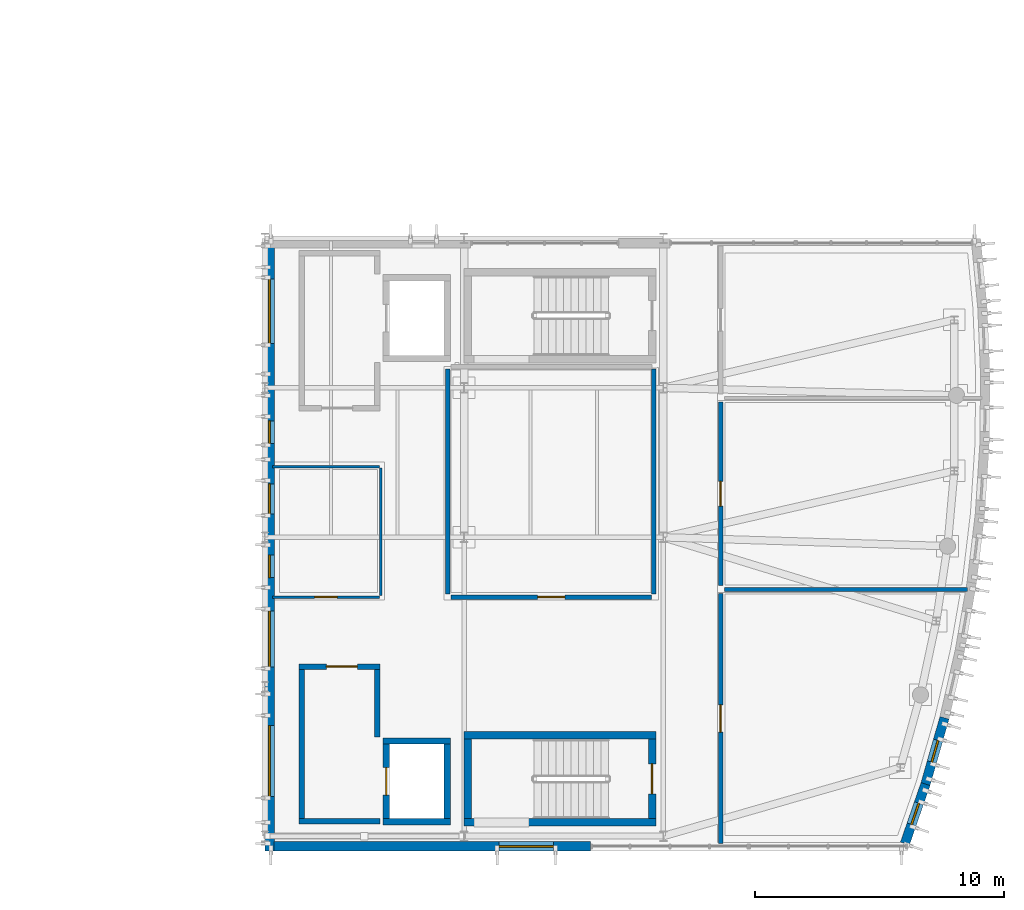
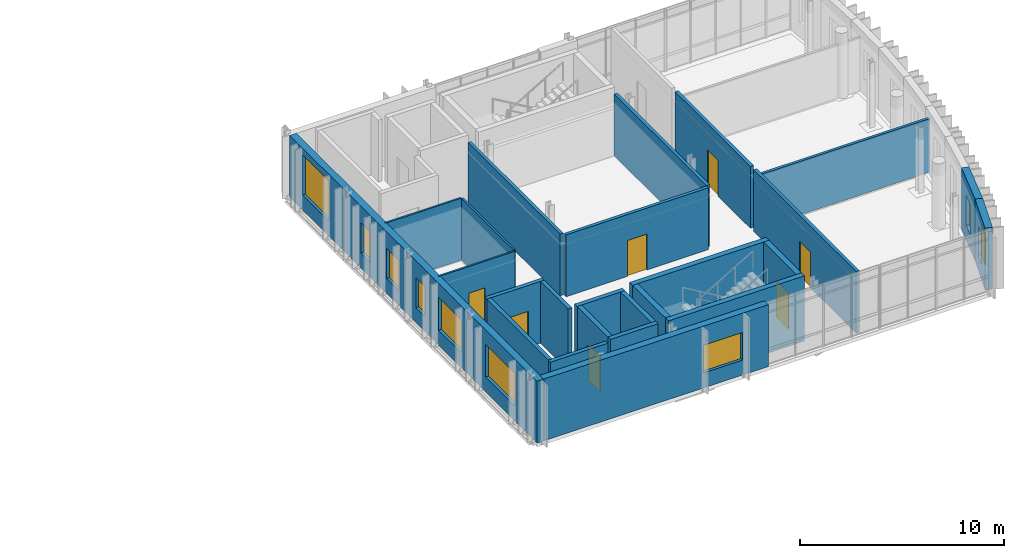
# One storey, part 20 of 28: 25 walls, 9 windows, 7 doors, 16 openings.
"""IFC4 building model written with IfcOpenShell, lengths in metres."""

from ifc_helpers import new_model, si_unit, direction, frame, frame_2d, origin, place, context, subcontext, project, spatial, rectangle, extrude, material, layer, layer_set, type_object, element, fill, save


model = new_model("IFC4")

# Units and contexts
model_context = context("Model", 3, precision=1e-05, world=origin(), true_north=direction((0.0, 1.0)))
body_context = subcontext(model_context, "Body", "Model", "MODEL_VIEW")
ifc_project = project(units=[si_unit("LENGTHUNIT", "METRE"), si_unit("AREAUNIT", "SQUARE_METRE"), si_unit("VOLUMEUNIT", "CUBIC_METRE"), si_unit("PLANEANGLEUNIT", "RADIAN"), si_unit("MASSUNIT", "GRAM", prefix="KILO")], contexts=[model_context])

# Site, building, storey
site_placement = place(None, origin())
site = spatial("IfcSite", under=ifc_project, at=site_placement, CompositionType="ELEMENT")
building_placement = place(site_placement, origin())
building = spatial("IfcBuilding", under=site, at=building_placement, Name="Cymarion Research Institute", CompositionType="ELEMENT")
storey_placement = place(building_placement, frame((0.0, 0.0, 30.60009765625)))
storey = spatial("IfcBuildingStorey", under=building, at=storey_placement, Name="L07", CompositionType="ELEMENT", Elevation=30.60009765625)

# Wall, opening, window
ifc_material_1 = material(Name="Precast concrete C40/50", Category="concrete")
ifc_layer_1 = layer(ifc_material_1, 0.3798828125)
ifc_layer_set_1 = layer_set([ifc_layer_1], Name="Precast concrete C40/50")
wall_type_1 = type_object("IfcWallType", Name="EXTERIOR WALL EW-PC380 380MM", PredefinedType="SOLIDWALL", material=ifc_layer_set_1)
wall_1_placement = place(storey_placement, frame((138.9619140625, 5.090087890625, 0.0), z_axis=(0.0, 0.0, 1.0), x_axis=(1.0, 0.0, 0.0)))
wall_1 = element("IfcWall", 1, at=wall_1_placement, inside=storey, type_object=wall_type_1, Name="L07 V1 facade pier wall EW-PC380 #274", PredefinedType="SOLIDWALL", context=body_context, shape_type="SweptSolid", body=[
    extrude(rectangle(XDim=12.718994140625, YDim=0.3798828125, at=frame_2d((6.359375, 0.0))), origin(), (0.0, 0.0, 1.0), 3.699951171875),
])
opening_1_placement = place(wall_1_placement, frame((9.0390625, 0.0, 0.89990234375)))
opening_1 = element("IfcOpeningElement", 2, at=opening_1_placement, cuts=wall_1, Name="Opening W34", PredefinedType="OPENING", context=body_context, shape_type="SweptSolid", body=[
    extrude(rectangle(XDim=2.199951171875, YDim=1.64990234375, at=frame_2d((1.10009765625, 0.824951171875))), frame((0.0, 0.199951171875, 0.0), z_axis=(0.0, -1.0, 0.0), x_axis=(1.0, 0.0, 0.0)), (0.0, 0.0, 1.0), 0.39990234375),
])
ifc_material_2 = material(Name="Thermally broken aluminium window with Low-E glazing", Category="aluminium")
window_type_1 = type_object("IfcWindowType", Name="THERMALLY BROKEN ALUMINIUM WINDOW W34 2200X1650", PartitioningType="DOUBLE_PANEL_VERTICAL", PredefinedType="WINDOW", material=ifc_material_2)
window_1_placement = place(opening_1_placement, origin())
window_1 = element("IfcWindow", 3, at=window_1_placement, inside=storey, type_object=window_type_1, Name="L07 V1 facade window W34 #502", OverallHeight=1.64990234375, OverallWidth=2.199951171875, PartitioningType="SINGLE_PANEL", PredefinedType="WINDOW", context=body_context, shape_type="SweptSolid", body=[
    extrude(rectangle(XDim=2.199951171875, YDim=1.64990234375, at=frame_2d((1.10009765625, 0.824951171875))), frame((0.0, 0.030029296875, 0.0), z_axis=(0.0, -1.0, 0.0), x_axis=(1.0, 0.0, 0.0)), (0.0, 0.0, 1.0), 0.06005859375),
])
fill(opening_1, window_1)

wall_2_placement = place(storey_placement, frame((164.302978515625, 5.200927734375, 0.0), z_axis=(0.0, 0.0, 1.0), x_axis=(0.3268184741, 0.945087130897, 0.0)))
wall_2 = element("IfcWall", 4, at=wall_2_placement, inside=storey, type_object=wall_type_1, Name="L07 V1 exterior wall EW-PC380 #275", PredefinedType="SOLIDWALL", context=body_context, shape_type="SweptSolid", body=[
    extrude(rectangle(XDim=2.5263671875, YDim=0.3798828125, at=frame_2d((1.26318359375, 0.0))), origin(), (0.0, 0.0, 1.0), 3.699951171875),
])
opening_2_placement = place(wall_2_placement, frame((0.81298828125, 0.0, 0.89990234375)))
opening_2 = element("IfcOpeningElement", 5, at=opening_2_placement, cuts=wall_2, Name="Opening W24", PredefinedType="OPENING", context=body_context, shape_type="SweptSolid", body=[
    extrude(rectangle(XDim=0.89990234375, YDim=1.800048828125, at=frame_2d((0.449951171875, 0.89990234375))), frame((0.0, 0.199951171875, 0.0), z_axis=(0.0, -1.0, 0.0), x_axis=(1.0, 0.0, 0.0)), (0.0, 0.0, 1.0), 0.39990234375),
])
window_type_2 = type_object("IfcWindowType", Name="THERMALLY BROKEN ALUMINIUM WINDOW W24 900X1800", PartitioningType="SINGLE_PANEL", PredefinedType="WINDOW", material=ifc_material_2)
window_2_placement = place(opening_2_placement, origin())
window_2 = element("IfcWindow", 6, at=window_2_placement, inside=storey, type_object=window_type_2, Name="L07 V1 facade window W24 #503", OverallHeight=1.800048828125, OverallWidth=0.89990234375, PartitioningType="SINGLE_PANEL", PredefinedType="WINDOW", context=body_context, shape_type="SweptSolid", body=[
    extrude(rectangle(XDim=0.89990234375, YDim=1.800048828125, at=frame_2d((0.449951171875, 0.89990234375))), frame((0.0, 0.030029296875, 0.0), z_axis=(0.0, -1.0, 0.0), x_axis=(1.0, 0.0, 0.0)), (0.0, 0.0, 1.0), 0.06005859375),
])
fill(opening_2, window_2)

wall_3_placement = place(storey_placement, frame((165.122314453125, 7.5673828125, 0.0), z_axis=(0.0, 0.0, 1.0), x_axis=(0.275772175055, 0.961223026912, 0.0)))
wall_3 = element("IfcWall", 7, at=wall_3_placement, inside=storey, type_object=wall_type_1, Name="L07 V1 exterior wall EW-PC380 #276", PredefinedType="SOLIDWALL", context=body_context, shape_type="SweptSolid", body=[
    extrude(rectangle(XDim=2.791259765625, YDim=0.3798828125, at=frame_2d((1.3955078125, 0.0))), origin(), (0.0, 0.0, 1.0), 3.699951171875),
])
opening_3_placement = place(wall_3_placement, frame((0.946044921875, 0.0, 0.89990234375)))
opening_3 = element("IfcOpeningElement", 8, at=opening_3_placement, cuts=wall_3, Name="Opening W24", PredefinedType="OPENING", context=body_context, shape_type="SweptSolid", body=[
    extrude(rectangle(XDim=0.89990234375, YDim=1.800048828125, at=frame_2d((0.449951171875, 0.89990234375))), frame((0.0, 0.199951171875, 0.0), z_axis=(0.0, -1.0, 0.0), x_axis=(1.0, 0.0, 0.0)), (0.0, 0.0, 1.0), 0.39990234375),
])
window_3_placement = place(opening_3_placement, origin())
window_3 = element("IfcWindow", 9, at=window_3_placement, inside=storey, type_object=window_type_2, Name="L07 V1 facade window W24 #504", OverallHeight=1.800048828125, OverallWidth=0.89990234375, PartitioningType="SINGLE_PANEL", PredefinedType="WINDOW", context=body_context, shape_type="SweptSolid", body=[
    extrude(rectangle(XDim=0.89990234375, YDim=1.800048828125, at=frame_2d((0.449951171875, 0.89990234375))), frame((0.0, 0.030029296875, 0.0), z_axis=(0.0, -1.0, 0.0), x_axis=(1.0, 0.0, 0.0)), (0.0, 0.0, 1.0), 0.06005859375),
])
fill(opening_3, window_3)

# Wall, openings, windows
wall_4_placement = place(storey_placement, frame((138.7900390625, 29.137939453125, 0.0), z_axis=(0.0, 0.0, 1.0), x_axis=(0.0, -1.0, 0.0)))
wall_4 = element("IfcWall", 10, at=wall_4_placement, inside=storey, type_object=wall_type_1, Name="L07 V1 exterior wall EW-PC380 #286", PredefinedType="SOLIDWALL", context=body_context, shape_type="SweptSolid", body=[
    extrude(rectangle(XDim=24.238037109375, YDim=0.3798828125, at=frame_2d((12.119140625, 0.0))), origin(), (0.0, 0.0, 1.0), 3.699951171875),
])
opening_4_placement = place(wall_4_placement, frame((1.263916015625, 0.0, 0.89990234375)))
opening_4 = element("IfcOpeningElement", 11, at=opening_4_placement, cuts=wall_4, Name="Opening W22", PredefinedType="OPENING", context=body_context, shape_type="SweptSolid", body=[
    extrude(rectangle(XDim=2.60009765625, YDim=2.39990234375, at=frame_2d((1.300048828125, 1.199951171875))), frame((0.0, 0.199951171875, 0.0), z_axis=(0.0, -1.0, 0.0), x_axis=(1.0, 0.0, 0.0)), (0.0, 0.0, 1.0), 0.39990234375),
])
opening_5_placement = place(wall_4_placement, frame((6.968017578125, 0.0, 0.89990234375)))
opening_5 = element("IfcOpeningElement", 12, at=opening_5_placement, cuts=wall_4, Name="Opening W24", PredefinedType="OPENING", context=body_context, shape_type="SweptSolid", body=[
    extrude(rectangle(XDim=0.89990234375, YDim=1.800048828125, at=frame_2d((0.449951171875, 0.89990234375))), frame((0.0, 0.199951171875, 0.0), z_axis=(0.0, -1.0, 0.0), x_axis=(1.0, 0.0, 0.0)), (0.0, 0.0, 1.0), 0.39990234375),
])
opening_6_placement = place(wall_4_placement, frame((9.498046875, 0.0, 0.89990234375)))
opening_6 = element("IfcOpeningElement", 13, at=opening_6_placement, cuts=wall_4, Name="Opening W01", PredefinedType="OPENING", context=body_context, shape_type="SweptSolid", body=[
    extrude(rectangle(XDim=1.199951171875, YDim=1.800048828125, at=frame_2d((0.60009765625, 0.89990234375))), frame((0.0, 0.199951171875, 0.0), z_axis=(0.0, -1.0, 0.0), x_axis=(1.0, 0.0, 0.0)), (0.0, 0.0, 1.0), 0.39990234375),
])
opening_7_placement = place(wall_4_placement, frame((12.35791015625, 0.0, 0.89990234375)))
opening_7 = element("IfcOpeningElement", 14, at=opening_7_placement, cuts=wall_4, Name="Opening W24", PredefinedType="OPENING", context=body_context, shape_type="SweptSolid", body=[
    extrude(rectangle(XDim=0.89990234375, YDim=1.800048828125, at=frame_2d((0.449951171875, 0.89990234375))), frame((0.0, 0.199951171875, 0.0), z_axis=(0.0, -1.0, 0.0), x_axis=(1.0, 0.0, 0.0)), (0.0, 0.0, 1.0), 0.39990234375),
])
opening_8_placement = place(wall_4_placement, frame((14.593017578125, 0.0, 0.89990234375)))
opening_8 = element("IfcOpeningElement", 15, at=opening_8_placement, cuts=wall_4, Name="Opening W30", PredefinedType="OPENING", context=body_context, shape_type="SweptSolid", body=[
    extrude(rectangle(XDim=2.25, YDim=1.949951171875, at=frame_2d((1.125, 0.97509765625))), frame((0.0, 0.199951171875, 0.0), z_axis=(0.0, -1.0, 0.0), x_axis=(1.0, 0.0, 0.0)), (0.0, 0.0, 1.0), 0.39990234375),
])
opening_9_placement = place(wall_4_placement, frame((19.202880859375, 0.0, 0.89990234375)))
opening_9 = element("IfcOpeningElement", 16, at=opening_9_placement, cuts=wall_4, Name="Opening W32", PredefinedType="OPENING", context=body_context, shape_type="SweptSolid", body=[
    extrude(rectangle(XDim=2.85009765625, YDim=1.949951171875, at=frame_2d((1.425048828125, 0.97509765625))), frame((0.0, 0.199951171875, 0.0), z_axis=(0.0, -1.0, 0.0), x_axis=(1.0, 0.0, 0.0)), (0.0, 0.0, 1.0), 0.39990234375),
])
window_type_3 = type_object("IfcWindowType", Name="THERMALLY BROKEN ALUMINIUM WINDOW W01 1200X1800", PartitioningType="SINGLE_PANEL", PredefinedType="WINDOW", material=ifc_material_2)
window_4_placement = place(opening_6_placement, origin())
window_4 = element("IfcWindow", 17, at=window_4_placement, inside=storey, type_object=window_type_3, Name="L07 V1 facade window W01 #515", OverallHeight=1.800048828125, OverallWidth=1.199951171875, PartitioningType="SINGLE_PANEL", PredefinedType="WINDOW", context=body_context, shape_type="SweptSolid", body=[
    extrude(rectangle(XDim=1.199951171875, YDim=1.800048828125, at=frame_2d((0.60009765625, 0.89990234375))), frame((0.0, 0.030029296875, 0.0), z_axis=(0.0, -1.0, 0.0), x_axis=(1.0, 0.0, 0.0)), (0.0, 0.0, 1.0), 0.06005859375),
])
fill(opening_6, window_4)
window_type_4 = type_object("IfcWindowType", Name="THERMALLY BROKEN ALUMINIUM WINDOW W22 2600X2400", PartitioningType="TRIPLE_PANEL_VERTICAL", PredefinedType="WINDOW", material=ifc_material_2)
window_5_placement = place(opening_4_placement, origin())
window_5 = element("IfcWindow", 18, at=window_5_placement, inside=storey, type_object=window_type_4, Name="L07 V1 facade window W22 #513", OverallHeight=2.39990234375, OverallWidth=2.60009765625, PartitioningType="SINGLE_PANEL", PredefinedType="WINDOW", context=body_context, shape_type="SweptSolid", body=[
    extrude(rectangle(XDim=2.60009765625, YDim=2.39990234375, at=frame_2d((1.300048828125, 1.199951171875))), frame((0.0, 0.030029296875, 0.0), z_axis=(0.0, -1.0, 0.0), x_axis=(1.0, 0.0, 0.0)), (0.0, 0.0, 1.0), 0.06005859375),
])
fill(opening_4, window_5)
window_6_placement = place(opening_5_placement, origin())
window_6 = element("IfcWindow", 19, at=window_6_placement, inside=storey, type_object=window_type_2, Name="L07 V1 facade window W24 #514", OverallHeight=1.800048828125, OverallWidth=0.89990234375, PartitioningType="SINGLE_PANEL", PredefinedType="WINDOW", context=body_context, shape_type="SweptSolid", body=[
    extrude(rectangle(XDim=0.89990234375, YDim=1.800048828125, at=frame_2d((0.449951171875, 0.89990234375))), frame((0.0, 0.030029296875, 0.0), z_axis=(0.0, -1.0, 0.0), x_axis=(1.0, 0.0, 0.0)), (0.0, 0.0, 1.0), 0.06005859375),
])
fill(opening_5, window_6)
window_7_placement = place(opening_7_placement, origin())
window_7 = element("IfcWindow", 20, at=window_7_placement, inside=storey, type_object=window_type_2, Name="L07 V1 facade window W24 #516", OverallHeight=1.800048828125, OverallWidth=0.89990234375, PartitioningType="SINGLE_PANEL", PredefinedType="WINDOW", context=body_context, shape_type="SweptSolid", body=[
    extrude(rectangle(XDim=0.89990234375, YDim=1.800048828125, at=frame_2d((0.449951171875, 0.89990234375))), frame((0.0, 0.030029296875, 0.0), z_axis=(0.0, -1.0, 0.0), x_axis=(1.0, 0.0, 0.0)), (0.0, 0.0, 1.0), 0.06005859375),
])
fill(opening_7, window_7)
window_type_5 = type_object("IfcWindowType", Name="THERMALLY BROKEN ALUMINIUM WINDOW W30 2250X1950", PartitioningType="DOUBLE_PANEL_VERTICAL", PredefinedType="WINDOW", material=ifc_material_2)
window_8_placement = place(opening_8_placement, origin())
window_8 = element("IfcWindow", 21, at=window_8_placement, inside=storey, type_object=window_type_5, Name="L07 V1 facade window W30 #517", OverallHeight=1.949951171875, OverallWidth=2.25, PartitioningType="SINGLE_PANEL", PredefinedType="WINDOW", context=body_context, shape_type="SweptSolid", body=[
    extrude(rectangle(XDim=2.25, YDim=1.949951171875, at=frame_2d((1.125, 0.97509765625))), frame((0.0, 0.030029296875, 0.0), z_axis=(0.0, -1.0, 0.0), x_axis=(1.0, 0.0, 0.0)), (0.0, 0.0, 1.0), 0.06005859375),
])
fill(opening_8, window_8)
window_type_6 = type_object("IfcWindowType", Name="THERMALLY BROKEN ALUMINIUM WINDOW W32 2850X1950", PartitioningType="TRIPLE_PANEL_VERTICAL", PredefinedType="WINDOW", material=ifc_material_2)
window_9_placement = place(opening_9_placement, origin())
window_9 = element("IfcWindow", 22, at=window_9_placement, inside=storey, type_object=window_type_6, Name="L07 V1 facade window W32 #518", OverallHeight=1.949951171875, OverallWidth=2.85009765625, PartitioningType="SINGLE_PANEL", PredefinedType="WINDOW", context=body_context, shape_type="SweptSolid", body=[
    extrude(rectangle(XDim=2.85009765625, YDim=1.949951171875, at=frame_2d((1.425048828125, 0.97509765625))), frame((0.0, 0.030029296875, 0.0), z_axis=(0.0, -1.0, 0.0), x_axis=(1.0, 0.0, 0.0)), (0.0, 0.0, 1.0), 0.06005859375),
])
fill(opening_9, window_9)

# Walls
ifc_material_3 = material(Name="Gypsum acoustic double-stud partition", Category="gypsum")
ifc_layer_2 = layer(ifc_material_3, 0.14990234375)
ifc_layer_set_2 = layer_set([ifc_layer_2], Name="Gypsum acoustic double-stud partition")
wall_type_2 = type_object("IfcWallType", Name="INTERIOR PARTITION IW-AC150 150MM", PredefinedType="PARTITIONING", material=ifc_layer_set_2)
wall_5_placement = place(storey_placement, frame((157.050048828125, 15.39990234375, 0.0), z_axis=(0.0, 0.0, 1.0), x_axis=(1.0, 0.0, 0.0)))
element("IfcWall", 23, at=wall_5_placement, inside=storey, type_object=wall_type_2, Name="L07 V1 interior partition IW-AC150 #382", PredefinedType="PARTITIONING", context=body_context, shape_type="SweptSolid", body=[
    extrude(rectangle(XDim=9.7724609375, YDim=0.14990234375, at=frame_2d((4.88623046875, 0.0))), origin(), (0.0, 0.0, 1.0), 3.199951171875),
])
ifc_material_4 = material(Name="Framed acoustic glass laboratory screen", Category="glass")
ifc_layer_3 = layer(ifc_material_4, 0.10009765625)
ifc_layer_set_3 = layer_set([ifc_layer_3], Name="Framed acoustic glass laboratory screen")
wall_type_3 = type_object("IfcWallType", Name="INTERIOR PARTITION IW-GL100 100MM", PredefinedType="PARTITIONING", material=ifc_layer_set_3)
wall_6_placement = place(storey_placement, frame((138.905029296875, 20.340087890625, 0.0), z_axis=(0.0, 0.0, 1.0), x_axis=(1.0, 0.0, 0.0)))
element("IfcWall", 24, at=wall_6_placement, inside=storey, type_object=wall_type_3, Name="L07 V1 interior partition IW-GL100 #375", PredefinedType="PARTITIONING", context=body_context, shape_type="SweptSolid", body=[
    extrude(rectangle(XDim=4.294921875, YDim=0.10009765625, at=frame_2d((2.1474609375, 0.0))), origin(), (0.0, 0.0, 1.0), 3.699951171875),
])
wall_7_placement = place(storey_placement, frame((143.25, 15.159912109375, 0.0), z_axis=(0.0, 0.0, 1.0), x_axis=(0.0, 1.0, 0.0)))
element("IfcWall", 25, at=wall_7_placement, inside=storey, type_object=wall_type_3, Name="L07 V1 interior partition IW-GL100 #376", PredefinedType="PARTITIONING", context=body_context, shape_type="SweptSolid", body=[
    extrude(rectangle(XDim=5.1201171875, YDim=0.10009765625, at=frame_2d((2.56005859375, 0.0))), origin(), (0.0, 0.0, 1.0), 3.699951171875),
])

# Wall, opening, door
wall_8_placement = place(storey_placement, frame((138.905029296875, 15.10009765625, 0.0), z_axis=(0.0, 0.0, 1.0), x_axis=(1.0, 0.0, 0.0)))
wall_8 = element("IfcWall", 26, at=wall_8_placement, inside=storey, type_object=wall_type_3, Name="L07 V1 interior partition IW-GL100 #377", PredefinedType="PARTITIONING", context=body_context, shape_type="SweptSolid", body=[
    extrude(rectangle(XDim=4.294921875, YDim=0.10009765625, at=frame_2d((2.1474609375, 0.0))), origin(), (0.0, 0.0, 1.0), 3.699951171875),
])
opening_10_placement = place(wall_8_placement, frame((1.697998046875, 0.0, 0.0)))
opening_10 = element("IfcOpeningElement", 27, at=opening_10_placement, cuts=wall_8, Name="Opening D-L07-222", PredefinedType="OPENING", context=body_context, shape_type="SweptSolid", body=[
    extrude(rectangle(XDim=0.89990234375, YDim=2.10009765625, at=frame_2d((0.449951171875, 1.050048828125))), frame((0.0, 0.06005859375, 0.0), z_axis=(0.0, -1.0, 0.0), x_axis=(1.0, 0.0, 0.0)), (0.0, 0.0, 1.0), 0.1201171875),
])
ifc_material_5 = material(Name="Flush acoustic timber/steel door assembly", Category="steel")
door_type_1 = type_object("IfcDoorType", Name="RESEARCH WRITE-UP OFFICE DOOR DT-OF090 900X2100", OperationType="NOTDEFINED", PredefinedType="DOOR", material=ifc_material_5)
door_1_placement = place(opening_10_placement, origin())
door_1 = element("IfcDoor", 28, at=door_1_placement, inside=storey, type_object=door_type_1, Name="L07 West Write-up door D-L07-222", OperationType="SINGLE_SWING_LEFT", OverallHeight=2.10009765625, OverallWidth=0.89990234375, PredefinedType="DOOR", context=body_context, shape_type="SweptSolid", body=[
    extrude(rectangle(XDim=0.89990234375, YDim=2.10009765625, at=frame_2d((0.449951171875, 1.050048828125))), frame((0.0, 0.02490234375, 0.0), z_axis=(0.0, -1.0, 0.0), x_axis=(1.0, 0.0, 0.0)), (0.0, 0.0, 1.0), 0.050048828125),
])
fill(opening_10, door_1)

# Walls
ifc_material_6 = material(Name="Moisture-resistant laboratory partition", Category="gypsum")
ifc_layer_4 = layer(ifc_material_6, 0.179931640625)
ifc_layer_set_4 = layer_set([ifc_layer_4], Name="Moisture-resistant laboratory partition")
wall_type_4 = type_object("IfcWallType", Name="INTERIOR PARTITION IW-LB180 180MM", PredefinedType="PARTITIONING", material=ifc_layer_set_4)
for number, where, z_axis, x_axis, name in (
    (29, (145.949951171875, 15.219970703125, 0.0), (0.0, 0.0, 1.0), (0.0, 1.0, 0.0), "L07 V1 interior partition IW-LB180 #378"),
    (30, (154.219970703125, 15.219970703125, 0.0), (0.0, 0.0, 1.0), (0.0, 1.0, 0.0), "L07 V1 interior partition IW-LB180 #380"),
):
    element("IfcWall", number, at=place(storey_placement, frame(where, z_axis=z_axis, x_axis=x_axis)), inside=storey, type_object=wall_type_4, Name=name, PredefinedType="PARTITIONING", context=body_context, shape_type="SweptSolid", body=[
        extrude(rectangle(XDim=9.030029296875, YDim=0.179931640625, at=frame_2d((4.51513671875, 0.0))), origin(), (0.0, 0.0, 1.0), 3.699951171875),
    ])

# Wall, opening, door
wall_9_placement = place(storey_placement, frame((146.080078125, 15.10009765625, 0.0), z_axis=(0.0, 0.0, 1.0), x_axis=(1.0, 0.0, 0.0)))
wall_9 = element("IfcWall", 31, at=wall_9_placement, inside=storey, type_object=wall_type_4, Name="L07 V1 interior partition IW-LB180 #381", PredefinedType="PARTITIONING", context=body_context, shape_type="SweptSolid", body=[
    extrude(rectangle(XDim=8.0400390625, YDim=0.179931640625, at=frame_2d((4.02001953125, 0.0))), origin(), (0.0, 0.0, 1.0), 3.699951171875),
])
opening_11_placement = place(wall_9_placement, frame((3.469970703125, 0.0, 0.0)))
opening_11 = element("IfcOpeningElement", 32, at=opening_11_placement, cuts=wall_9, Name="Opening D-L07-223", PredefinedType="OPENING", context=body_context, shape_type="SweptSolid", body=[
    extrude(rectangle(XDim=1.10009765625, YDim=2.14990234375, at=frame_2d((0.550048828125, 1.074951171875))), frame((0.0, 0.099853515625, 0.0), z_axis=(0.0, -1.0, 0.0), x_axis=(1.0, 0.0, 0.0)), (0.0, 0.0, 1.0), 0.199951171875),
])
door_type_2 = type_object("IfcDoorType", Name="LABORATORY WIDE SINGLE DOOR DT-LB110 1100X2150", OperationType="NOTDEFINED", PredefinedType="DOOR", material=ifc_material_5)
door_2_placement = place(opening_11_placement, origin())
door_2 = element("IfcDoor", 33, at=door_2_placement, inside=storey, type_object=door_type_2, Name="L07 Central Assay Lab door D-L07-223", OperationType="SINGLE_SWING_RIGHT", OverallHeight=2.14990234375, OverallWidth=1.10009765625, PredefinedType="DOOR", context=body_context, shape_type="SweptSolid", body=[
    extrude(rectangle(XDim=1.10009765625, YDim=2.14990234375, at=frame_2d((0.550048828125, 1.074951171875))), frame((0.0, 0.02490234375, 0.0), z_axis=(0.0, -1.0, 0.0), x_axis=(1.0, 0.0, 0.0)), (0.0, 0.0, 1.0), 0.050048828125),
])
fill(opening_11, door_2)

wall_10_placement = place(storey_placement, frame((156.89990234375, 5.205078125, 0.0), z_axis=(0.0, 0.0, 1.0), x_axis=(0.0, 1.0, 0.0)))
wall_10 = element("IfcWall", 34, at=wall_10_placement, inside=storey, type_object=wall_type_4, Name="L07 V1 interior partition IW-LB180 #385", PredefinedType="PARTITIONING", context=body_context, shape_type="SweptSolid", body=[
    extrude(rectangle(XDim=10.034912109375, YDim=0.179931640625, at=frame_2d((5.017578125, 0.0))), origin(), (0.0, 0.0, 1.0), 3.699951171875),
])
opening_12_placement = place(wall_10_placement, frame((4.468017578125, 0.0, 0.0)))
opening_12 = element("IfcOpeningElement", 35, at=opening_12_placement, cuts=wall_10, Name="Opening D-L07-224", PredefinedType="OPENING", context=body_context, shape_type="SweptSolid", body=[
    extrude(rectangle(XDim=1.10009765625, YDim=2.14990234375, at=frame_2d((0.550048828125, 1.074951171875))), frame((0.0, 0.099853515625, 0.0), z_axis=(0.0, -1.0, 0.0), x_axis=(1.0, 0.0, 0.0)), (0.0, 0.0, 1.0), 0.199951171875),
])
door_3_placement = place(opening_12_placement, origin())
door_3 = element("IfcDoor", 36, at=door_3_placement, inside=storey, type_object=door_type_2, Name="L07 Tower Lab door D-L07-224", OperationType="SINGLE_SWING_LEFT", OverallHeight=2.14990234375, OverallWidth=1.10009765625, PredefinedType="DOOR", context=body_context, shape_type="SweptSolid", body=[
    extrude(rectangle(XDim=1.10009765625, YDim=2.14990234375, at=frame_2d((0.550048828125, 1.074951171875))), frame((0.0, 0.02490234375, 0.0), z_axis=(0.0, -1.0, 0.0), x_axis=(1.0, 0.0, 0.0)), (0.0, 0.0, 1.0), 0.050048828125),
])
fill(opening_12, door_3)

wall_11_placement = place(storey_placement, frame((156.89990234375, 15.56005859375, 0.0), z_axis=(0.0, 0.0, 1.0), x_axis=(0.0, 1.0, 0.0)))
wall_11 = element("IfcWall", 37, at=wall_11_placement, inside=storey, type_object=wall_type_4, Name="L07 V1 interior partition IW-LB180 #386", PredefinedType="PARTITIONING", context=body_context, shape_type="SweptSolid", body=[
    extrude(rectangle(XDim=7.3798828125, YDim=0.179931640625, at=frame_2d((3.68994140625, 0.0))), origin(), (0.0, 0.0, 1.0), 3.699951171875),
])
opening_13_placement = place(wall_11_placement, frame((3.18994140625, 0.0, 0.0)))
opening_13 = element("IfcOpeningElement", 38, at=opening_13_placement, cuts=wall_11, Name="Opening D-L07-225", PredefinedType="OPENING", context=body_context, shape_type="SweptSolid", body=[
    extrude(rectangle(XDim=1.0, YDim=2.14990234375, at=frame_2d((0.5, 1.074951171875))), frame((0.0, 0.099853515625, 0.0), z_axis=(0.0, -1.0, 0.0), x_axis=(1.0, 0.0, 0.0)), (0.0, 0.0, 1.0), 0.199951171875),
])
door_type_3 = type_object("IfcDoorType", Name="LABORATORY SINGLE LEAF DOOR DT-LB100 1000X2150", OperationType="NOTDEFINED", PredefinedType="DOOR", material=ifc_material_5)
door_4_placement = place(opening_13_placement, origin())
door_4 = element("IfcDoor", 39, at=door_4_placement, inside=storey, type_object=door_type_3, Name="L07 Instrument Room door D-L07-225", OperationType="SINGLE_SWING_RIGHT", OverallHeight=2.14990234375, OverallWidth=1.0, PredefinedType="DOOR", context=body_context, shape_type="SweptSolid", body=[
    extrude(rectangle(XDim=1.0, YDim=2.14990234375, at=frame_2d((0.5, 1.074951171875))), frame((0.0, 0.02490234375, 0.0), z_axis=(0.0, -1.0, 0.0), x_axis=(1.0, 0.0, 0.0)), (0.0, 0.0, 1.0), 0.050048828125),
])
fill(opening_13, door_4)

# Wall
ifc_material_7 = material(Name="Concrete C40/50", Category="concrete")
ifc_layer_5 = layer(ifc_material_7, 0.219970703125)
ifc_layer_set_5 = layer_set([ifc_layer_5], Name="Concrete C40/50")
wall_type_5 = type_object("IfcWallType", Name="REINFORCED CONCRETE CORE WALL CW-FF220 220MM", PredefinedType="SOLIDWALL", material=ifc_layer_set_5)
wall_12_placement = place(storey_placement, frame((139.97998046875, 6.090087890625, 0.0), z_axis=(0.0, 0.0, 1.0), x_axis=(1.0, 0.0, 0.0)))
element("IfcWall", 40, at=wall_12_placement, inside=storey, type_object=wall_type_5, Name="L07 FFL-LF1-L07 south core wall", PredefinedType="SOLIDWALL", context=body_context, shape_type="SweptSolid", body=[
    extrude(rectangle(XDim=3.239990234375, YDim=0.219970703125, at=frame_2d((1.6201171875, 0.0))), origin(), (0.0, 0.0, 1.0), 3.699951171875),
])

# Wall, opening, door
wall_13_placement = place(storey_placement, frame((143.219970703125, 12.31005859375, 0.0), z_axis=(0.0, 0.0, 1.0), x_axis=(-1.0, 0.0, 0.0)))
wall_13 = element("IfcWall", 41, at=wall_13_placement, inside=storey, type_object=wall_type_5, Name="L07 FFL-LF1-L07 north core wall", PredefinedType="SOLIDWALL", context=body_context, shape_type="SweptSolid", body=[
    extrude(rectangle(XDim=3.239990234375, YDim=0.219970703125, at=frame_2d((1.6201171875, 0.0))), origin(), (0.0, 0.0, 1.0), 3.699951171875),
])
opening_14_placement = place(wall_13_placement, frame((0.89990234375, 0.0, 0.0)))
opening_14 = element("IfcOpeningElement", 42, at=opening_14_placement, cuts=wall_13, Name="Opening FD-FFL-LF1-L07", PredefinedType="OPENING", context=body_context, shape_type="SweptSolid", body=[
    extrude(rectangle(XDim=1.25, YDim=2.14990234375, at=frame_2d((0.625, 1.074951171875))), frame((0.0, 0.119873046875, 0.0), z_axis=(0.0, -1.0, 0.0), x_axis=(1.0, 0.0, 0.0)), (0.0, 0.0, 1.0), 0.239990234375),
])
ifc_material_8 = material(Name="Fire-rated insulated steel door assembly", Category="steel")
door_type_4 = type_object("IfcDoorType", Name="FIREFIGHTING LOBBY DOOR DT-FF125 1250X2150", OperationType="NOTDEFINED", PredefinedType="DOOR", material=ifc_material_8)
door_5_placement = place(opening_14_placement, frame((1.25, 0.0, 0.0), z_axis=(0.0, 0.0, 1.0), x_axis=(-1.0, 0.0, 0.0)))
door_5 = element("IfcDoor", 43, at=door_5_placement, inside=storey, type_object=door_type_4, Name="L07 Firefighting lobby door FD-FFL-LF1-L07", OperationType="SINGLE_SWING_LEFT", OverallHeight=2.14990234375, OverallWidth=1.25, PredefinedType="DOOR", context=body_context, shape_type="SweptSolid", body=[
    extrude(rectangle(XDim=1.25, YDim=2.14990234375, at=frame_2d((0.625, 1.074951171875))), frame((0.0, 0.02490234375, 0.0), z_axis=(0.0, -1.0, 0.0), x_axis=(1.0, 0.0, 0.0)), (0.0, 0.0, 1.0), 0.050048828125),
])
fill(opening_14, door_5)

# Walls
wall_14_placement = place(storey_placement, frame((140.090087890625, 12.199951171875, 0.0), z_axis=(0.0, 0.0, 1.0), x_axis=(0.0, -1.0, 0.0)))
element("IfcWall", 44, at=wall_14_placement, inside=storey, type_object=wall_type_5, Name="L07 FFL-LF1-L07 west core wall", PredefinedType="SOLIDWALL", context=body_context, shape_type="SweptSolid", body=[
    extrude(rectangle(XDim=6.0, YDim=0.219970703125, at=frame_2d((3.0, 0.0))), origin(), (0.0, 0.0, 1.0), 3.699951171875),
])
wall_15_placement = place(storey_placement, frame((143.110107421875, 9.47998046875, 0.0), z_axis=(0.0, 0.0, 1.0), x_axis=(0.0, 1.0, 0.0)))
element("IfcWall", 45, at=wall_15_placement, inside=storey, type_object=wall_type_5, Name="Core C1 firefighting lobby east closure wall L07", PredefinedType="SOLIDWALL", context=body_context, shape_type="SweptSolid", body=[
    extrude(rectangle(XDim=2.719970703125, YDim=0.219970703125, at=frame_2d((1.35986328125, 0.0))), origin(), (0.0, 0.0, 1.0), 3.699951171875),
])
ifc_layer_6 = layer(ifc_material_7, 0.25)
ifc_layer_set_6 = layer_set([ifc_layer_6], Name="Concrete C40/50")
wall_type_6 = type_object("IfcWallType", Name="REINFORCED CONCRETE CORE WALL CW-SH250 250MM", PredefinedType="SHEAR", material=ifc_layer_set_6)
for number, where, z_axis, x_axis, name in (
    (46, (143.35009765625, 6.074951171875, 0.0), (0.0, 0.0, 1.0), (1.0, 0.0, 0.0), "L07 LSH-LF1-L07 south core wall"),
    (47, (146.050048828125, 9.324951171875, 0.0), (0.0, 0.0, 1.0), (-1.0, 0.0, 0.0), "L07 LSH-LF1-L07 north core wall"),
):
    element("IfcWall", number, at=place(storey_placement, frame(where, z_axis=z_axis, x_axis=x_axis)), inside=storey, type_object=wall_type_6, Name=name, PredefinedType="SHEAR", context=body_context, shape_type="SweptSolid", body=[
        extrude(rectangle(XDim=2.699951171875, YDim=0.25, at=frame_2d((1.35009765625, 0.0))), origin(), (0.0, 0.0, 1.0), 3.89990234375),
    ])

# Wall, opening, door
wall_16_placement = place(storey_placement, frame((143.47509765625, 9.199951171875, 0.0), z_axis=(0.0, 0.0, 1.0), x_axis=(0.0, -1.0, 0.0)))
wall_16 = element("IfcWall", 48, at=wall_16_placement, inside=storey, type_object=wall_type_6, Name="L07 LSH-LF1-L07 west core wall", PredefinedType="SHEAR", context=body_context, shape_type="SweptSolid", body=[
    extrude(rectangle(XDim=3.0, YDim=0.25, at=frame_2d((1.5, 0.0))), origin(), (0.0, 0.0, 1.0), 3.89990234375),
])
opening_15_placement = place(wall_16_placement, frame((0.949951171875, 0.0, 0.0)))
opening_15 = element("IfcOpeningElement", 49, at=opening_15_placement, cuts=wall_16, Name="Opening LD-LF1-L07", PredefinedType="OPENING", context=body_context, shape_type="SweptSolid", body=[
    extrude(rectangle(XDim=1.10009765625, YDim=2.14990234375, at=frame_2d((0.550048828125, 1.074951171875))), frame((0.0, 0.135009765625, 0.0), z_axis=(0.0, -1.0, 0.0), x_axis=(1.0, 0.0, 0.0)), (0.0, 0.0, 1.0), 0.27001953125),
])
door_type_5 = type_object("IfcDoorType", Name="SLIDING LIFT LANDING DOOR DT-LD110 1100X2150", OperationType="DOUBLE_DOOR_SLIDING", PredefinedType="DOOR", material=ifc_material_8)
door_6_placement = place(opening_15_placement, origin())
door_6 = element("IfcDoor", 50, at=door_6_placement, inside=storey, type_object=door_type_5, Name="Lift LF1 landing door L07", OperationType="DOUBLE_DOOR_SLIDING", OverallHeight=2.14990234375, OverallWidth=1.10009765625, PredefinedType="DOOR", context=body_context, shape_type="SweptSolid", body=[
    extrude(rectangle(XDim=1.10009765625, YDim=2.14990234375, at=frame_2d((0.550048828125, 1.074951171875))), frame((0.0, 0.02490234375, 0.0), z_axis=(0.0, -1.0, 0.0), x_axis=(1.0, 0.0, 0.0)), (0.0, 0.0, 1.0), 0.050048828125),
])
fill(opening_15, door_6)

# Walls
wall_17_placement = place(storey_placement, frame((145.925048828125, 6.199951171875, 0.0), z_axis=(0.0, 0.0, 1.0), x_axis=(0.0, 1.0, 0.0)))
element("IfcWall", 51, at=wall_17_placement, inside=storey, type_object=wall_type_6, Name="L07 LSH-LF1-L07 east core wall", PredefinedType="SHEAR", context=body_context, shape_type="SweptSolid", body=[
    extrude(rectangle(XDim=3.0, YDim=0.25, at=frame_2d((1.5, 0.0))), origin(), (0.0, 0.0, 1.0), 3.89990234375),
])
ifc_layer_7 = layer(ifc_material_7, 0.300048828125)
ifc_layer_set_7 = layer_set([ifc_layer_7], Name="Concrete C40/50")
wall_type_7 = type_object("IfcWallType", Name="REINFORCED CONCRETE CORE WALL CW-SH300 300MM", PredefinedType="SHEAR", material=ifc_layer_set_7)
for number, where, z_axis, x_axis, name in (
    (52, (146.60009765625, 6.050048828125, 0.0), (0.0, 0.0, 1.0), (1.0, 0.0, 0.0), "L07 SHW-C1-L07 south core wall"),
    (53, (154.300048828125, 9.550048828125, 0.0), (0.0, 0.0, 1.0), (-1.0, 0.0, 0.0), "L07 SHW-C1-L07 north core wall"),
):
    element("IfcWall", number, at=place(storey_placement, frame(where, z_axis=z_axis, x_axis=x_axis)), inside=storey, type_object=wall_type_7, Name=name, PredefinedType="SHEAR", context=body_context, shape_type="SweptSolid", body=[
        extrude(rectangle(XDim=7.699951171875, YDim=0.300048828125, at=frame_2d((3.85009765625, 0.0))), origin(), (0.0, 0.0, 1.0), 3.89990234375),
    ])
wall_18_placement = place(storey_placement, frame((146.75, 9.39990234375, 0.0), z_axis=(0.0, 0.0, 1.0), x_axis=(0.0, -1.0, 0.0)))
element("IfcWall", 54, at=wall_18_placement, inside=storey, type_object=wall_type_7, Name="L07 SHW-C1-L07 west core wall", PredefinedType="SHEAR", context=body_context, shape_type="SweptSolid", body=[
    extrude(rectangle(XDim=3.199951171875, YDim=0.300048828125, at=frame_2d((1.60009765625, 0.0))), origin(), (0.0, 0.0, 1.0), 3.89990234375),
])

# Wall, opening, door
wall_19_placement = place(storey_placement, frame((154.14990234375, 6.199951171875, 0.0), z_axis=(0.0, 0.0, 1.0), x_axis=(0.0, 1.0, 0.0)))
wall_19 = element("IfcWall", 55, at=wall_19_placement, inside=storey, type_object=wall_type_7, Name="L07 SHW-C1-L07 east core wall", PredefinedType="SHEAR", context=body_context, shape_type="SweptSolid", body=[
    extrude(rectangle(XDim=3.199951171875, YDim=0.300048828125, at=frame_2d((1.60009765625, 0.0))), origin(), (0.0, 0.0, 1.0), 3.89990234375),
])
opening_16_placement = place(wall_19_placement, frame((1.0, 0.0, 0.0)))
opening_16 = element("IfcOpeningElement", 56, at=opening_16_placement, cuts=wall_19, Name="Opening FD-L07-ST1", PredefinedType="OPENING", context=body_context, shape_type="SweptSolid", body=[
    extrude(rectangle(XDim=1.199951171875, YDim=2.14990234375, at=frame_2d((0.60009765625, 1.074951171875))), frame((0.0, 0.159912109375, 0.0), z_axis=(0.0, -1.0, 0.0), x_axis=(1.0, 0.0, 0.0)), (0.0, 0.0, 1.0), 0.320068359375),
])
door_type_6 = type_object("IfcDoorType", Name="SMOKE PROOF STAIR FIRE DOOR DT-ST120 1200X2150", OperationType="NOTDEFINED", PredefinedType="DOOR", material=ifc_material_8)
door_7_placement = place(opening_16_placement, origin())
door_7 = element("IfcDoor", 57, at=door_7_placement, inside=storey, type_object=door_type_6, Name="L07 ST1 smoke-proof stair door FD-L07-ST1", OperationType="SINGLE_SWING_LEFT", OverallHeight=2.14990234375, OverallWidth=1.199951171875, PredefinedType="DOOR", context=body_context, shape_type="SweptSolid", body=[
    extrude(rectangle(XDim=1.199951171875, YDim=2.14990234375, at=frame_2d((0.60009765625, 1.074951171875))), frame((0.0, 0.02490234375, 0.0), z_axis=(0.0, -1.0, 0.0), x_axis=(1.0, 0.0, 0.0)), (0.0, 0.0, 1.0), 0.050048828125),
])
fill(opening_16, door_7)

save(model, "model.ifc")
